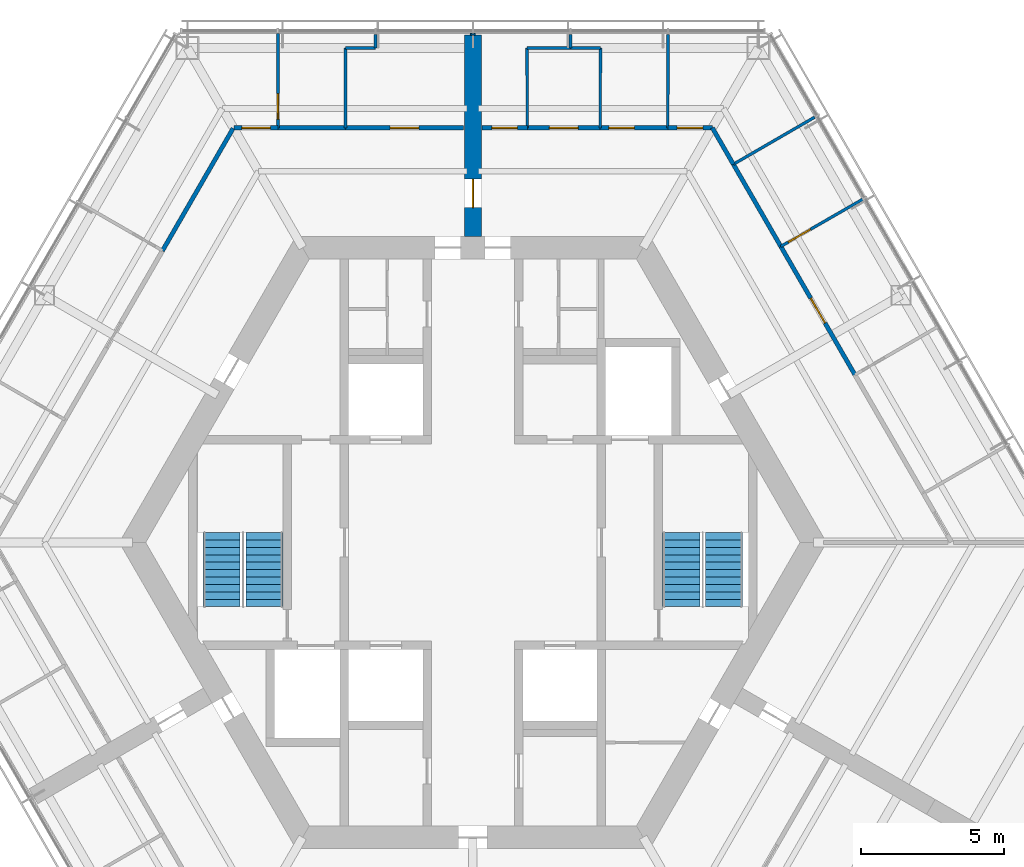
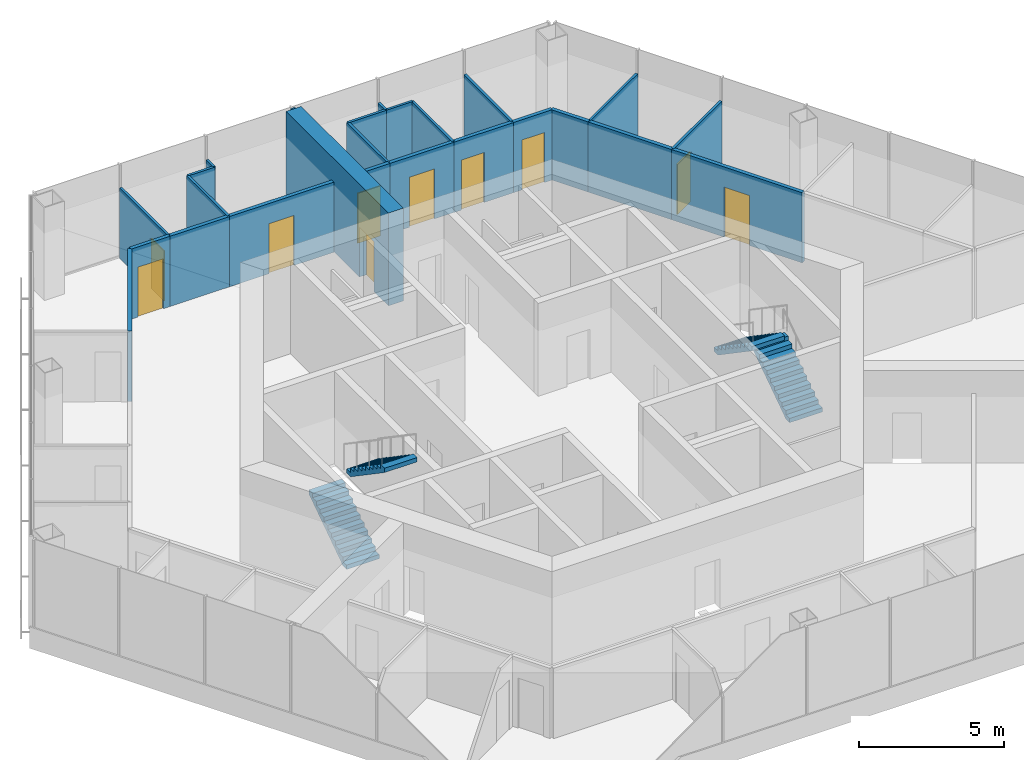
# One storey, part 10 of 13: 25 walls, 10 doors, 4 stair flights, 10 openings, 2 elements without a shape of their own.
"""IFC4 building model written with IfcOpenShell, lengths in metres."""

from ifc_helpers import new_model, si_unit, direction, frame, frame_2d, origin, place, context, subcontext, project, spatial, polyline, rectangle, outline, extrude, material, layer, layer_set, type_object, element, fill, aggregate, save


model = new_model("IFC4")

# Units and contexts
model_context = context("Model", 3, precision=1e-05, world=origin(), true_north=direction((0.0, 1.0)))
body_context = subcontext(model_context, "Body", "Model", "MODEL_VIEW")
ifc_project = project(units=[si_unit("LENGTHUNIT", "METRE"), si_unit("AREAUNIT", "SQUARE_METRE"), si_unit("VOLUMEUNIT", "CUBIC_METRE"), si_unit("PLANEANGLEUNIT", "RADIAN"), si_unit("MASSUNIT", "GRAM", prefix="KILO")], contexts=[model_context])

# Site, building, storey
site_placement = place(None, origin())
site = spatial("IfcSite", under=ifc_project, at=site_placement, CompositionType="ELEMENT")
building_placement = place(site_placement, origin())
building = spatial("IfcBuilding", under=site, at=building_placement, Name="Kasaneha Research Tower", CompositionType="ELEMENT")
storey_placement = place(building_placement, frame((0.0, 0.0, 294.699951171875)))
storey = spatial("IfcBuildingStorey", under=building, at=storey_placement, Name="L74", CompositionType="ELEMENT", Elevation=294.699951171875)

# Walls
ifc_material_1 = material(Name="Gypsum board on steel studs, one layer each side", Category="steel")
ifc_layer_1 = layer(ifc_material_1, 0.10009765625)
ifc_layer_set_1 = layer_set([ifc_layer_1], Name="Office partition 100")
wall_type_1 = type_object("IfcWallType", Name="Office partition 100", PredefinedType="PARTITIONING", material=ifc_layer_set_1)
wall_1_placement = place(storey_placement, frame((3.410400390625, 17.324951171875, 0.0), z_axis=(0.0, 0.0, 1.0), x_axis=(1.0, 0.0, 0.0)))
element("IfcWall", 1, at=wall_1_placement, inside=storey, type_object=wall_type_1, Name="Office partition FAE10 L74", PredefinedType="PARTITIONING", context=body_context, shape_type="SweptSolid", body=[
    extrude(rectangle(XDim=1.0546875, YDim=0.10009765625, at=frame_2d((0.52734375, 0.0))), origin(), (0.0, 0.0, 1.0), 2.949951171875),
])
wall_2_placement = place(storey_placement, frame((4.465087890625, 17.324951171875, 0.0), z_axis=(0.0, 0.0, 1.0), x_axis=(-0.001831019688, -0.999998323682, 0.0)))
element("IfcWall", 2, at=wall_2_placement, inside=storey, type_object=wall_type_1, Name="Office partition FAE11 L74", PredefinedType="PARTITIONING", context=body_context, shape_type="SweptSolid", body=[
    extrude(rectangle(XDim=2.800048828125, YDim=0.10009765625, at=frame_2d((1.39990234375, 0.0))), origin(), (0.0, 0.0, 1.0), 2.949951171875),
])
wall_3_placement = place(storey_placement, frame((1.89990234375, 17.324951171875, 0.0), z_axis=(0.0, 0.0, 1.0), x_axis=(1.0, 0.0, 0.0)))
element("IfcWall", 3, at=wall_3_placement, inside=storey, type_object=wall_type_1, Name="Office partition FAE12 L74", PredefinedType="PARTITIONING", context=body_context, shape_type="SweptSolid", body=[
    extrude(rectangle(XDim=1.5205078125, YDim=0.10009765625, at=frame_2d((0.76025390625, 0.0))), origin(), (0.0, 0.0, 1.0), 2.949951171875),
])
wall_4_placement = place(storey_placement, frame((1.905029296875, 14.52490234375, 0.0), z_axis=(0.0, 0.0, 1.0), x_axis=(-0.001831019688, 0.999998323682, 0.0)))
element("IfcWall", 4, at=wall_4_placement, inside=storey, type_object=wall_type_1, Name="Office partition FAE13 L74", PredefinedType="PARTITIONING", context=body_context, shape_type="SweptSolid", body=[
    extrude(rectangle(XDim=2.800048828125, YDim=0.10009765625, at=frame_2d((1.39990234375, 0.0))), origin(), (0.0, 0.0, 1.0), 2.949951171875),
])
wall_5_placement = place(storey_placement, frame((9.123779296875, 13.247314453125, 0.0), z_axis=(0.0, 0.0, 1.0), x_axis=(0.865292288087, 0.501267649243, 0.0)))
element("IfcWall", 5, at=wall_5_placement, inside=storey, type_object=wall_type_1, Name="Office partition FAE16 L74", PredefinedType="PARTITIONING", context=body_context, shape_type="SweptSolid", body=[
    extrude(rectangle(XDim=3.28564453125, YDim=0.10009765625, at=frame_2d((1.642822265625, 0.0))), origin(), (0.0, 0.0, 1.0), 2.949951171875),
])

# Wall, opening, door
wall_6_placement = place(storey_placement, frame((13.65380859375, 12.02197265625, 0.0), z_axis=(0.0, 0.0, 1.0), x_axis=(-0.866613759554, -0.498979550434, 0.0)))
wall_6 = element("IfcWall", 6, at=wall_6_placement, inside=storey, type_object=wall_type_1, Name="Office partition FAE17 L74", PredefinedType="PARTITIONING", context=body_context, shape_type="SweptSolid", body=[
    extrude(rectangle(XDim=3.310546875, YDim=0.10009765625, at=frame_2d((1.6552734375, 0.0))), origin(), (0.0, 0.0, 1.0), 2.949951171875),
])
opening_1_placement = place(wall_6_placement, frame((2.1103515625, 0.0, 0.0)))
opening_1 = element("IfcOpeningElement", 7, at=opening_1_placement, cuts=wall_6, Name="Opening L74-D33", PredefinedType="OPENING", context=body_context, shape_type="SweptSolid", body=[
    extrude(rectangle(XDim=0.89990234375, YDim=2.10009765625, at=frame_2d((0.449951171875, 1.050048828125))), frame((0.0, 0.06005859375, 0.0), z_axis=(0.0, -1.0, 0.0), x_axis=(1.0, 0.0, 0.0)), (0.0, 0.0, 1.0), 0.1201171875),
])
ifc_material_2 = material(Name="Timber veneer", Category="wood")
door_type_1 = type_object("IfcDoorType", Name="Office door 900x2100", OperationType="SINGLE_SWING_LEFT", PredefinedType="DOOR", material=ifc_material_2)
door_1_placement = place(opening_1_placement, origin())
door_1 = element("IfcDoor", 8, at=door_1_placement, inside=storey, type_object=door_type_1, Name="Tatami reception room door L74-D33", OperationType="SINGLE_SWING_RIGHT", OverallHeight=2.10009765625, OverallWidth=0.89990234375, PredefinedType="DOOR", context=body_context, shape_type="SweptSolid", body=[
    extrude(rectangle(XDim=0.89990234375, YDim=2.10009765625, at=frame_2d((0.449951171875, 1.050048828125))), frame((0.0, 0.02490234375, 0.0), z_axis=(0.0, -1.0, 0.0), x_axis=(1.0, 0.0, 0.0)), (0.0, 0.0, 1.0), 0.050048828125),
])
fill(opening_1, door_1)

# Walls
wall_7_placement = place(storey_placement, frame((3.42041015625, 17.324951171875, 0.0), z_axis=(0.0, 0.0, 1.0), x_axis=(-0.010266399375, 0.999947299133, 0.0)))
element("IfcWall", 9, at=wall_7_placement, inside=storey, type_object=wall_type_1, Name="Office partition FAE18 L74", PredefinedType="PARTITIONING", context=body_context, shape_type="SweptSolid", body=[
    extrude(rectangle(XDim=0.4755859375, YDim=0.10009765625, at=frame_2d((0.23779296875, 0.0))), origin(), (0.0, 0.0, 1.0), 2.949951171875),
])
wall_8_placement = place(storey_placement, frame((6.830810546875, 17.800537109375, 0.0), z_axis=(0.0, 0.0, 1.0), x_axis=(-0.001490644539, -0.999998888989, 0.0)))
element("IfcWall", 10, at=wall_8_placement, inside=storey, type_object=wall_type_1, Name="Office partition FAE19 L74", PredefinedType="PARTITIONING", context=body_context, shape_type="SweptSolid", body=[
    extrude(rectangle(XDim=3.275634765625, YDim=0.10009765625, at=frame_2d((1.6376953125, 0.0))), origin(), (0.0, 0.0, 1.0), 2.949951171875),
])
wall_9_placement = place(storey_placement, frame((-4.465087890625, 17.324951171875, 0.0), z_axis=(0.0, 0.0, 1.0), x_axis=(1.0, 0.0, 0.0)))
element("IfcWall", 11, at=wall_9_placement, inside=storey, type_object=wall_type_1, Name="Office partition FAW04 L74", PredefinedType="PARTITIONING", context=body_context, shape_type="SweptSolid", body=[
    extrude(rectangle(XDim=1.050048828125, YDim=0.10009765625, at=frame_2d((0.52490234375, 0.0))), origin(), (0.0, 0.0, 1.0), 2.949951171875),
])
wall_10_placement = place(storey_placement, frame((-4.4599609375, 14.52490234375, 0.0), z_axis=(0.0, 0.0, 1.0), x_axis=(-0.001831019688, 0.999998323682, 0.0)))
element("IfcWall", 12, at=wall_10_placement, inside=storey, type_object=wall_type_1, Name="Office partition FAW05 L74", PredefinedType="PARTITIONING", context=body_context, shape_type="SweptSolid", body=[
    extrude(rectangle(XDim=2.800048828125, YDim=0.10009765625, at=frame_2d((1.39990234375, 0.0))), origin(), (0.0, 0.0, 1.0), 2.949951171875),
])
wall_11_placement = place(storey_placement, frame((-3.4150390625, 17.324951171875, 0.0), z_axis=(0.0, 0.0, 1.0), x_axis=(0.0, 1.0, 0.0)))
element("IfcWall", 13, at=wall_11_placement, inside=storey, type_object=wall_type_1, Name="Office partition FAW06 L74", PredefinedType="PARTITIONING", context=body_context, shape_type="SweptSolid", body=[
    extrude(rectangle(XDim=0.4755859375, YDim=0.10009765625, at=frame_2d((0.23779296875, 0.0))), origin(), (0.0, 0.0, 1.0), 2.949951171875),
])

# Wall, opening, door
wall_12_placement = place(storey_placement, frame((-6.826416015625, 14.52490234375, 0.0), z_axis=(0.0, 0.0, 1.0), x_axis=(-0.001401178566, 0.999999018349, 0.0)))
wall_12 = element("IfcWall", 14, at=wall_12_placement, inside=storey, type_object=wall_type_1, Name="Office partition FAW07 L74", PredefinedType="PARTITIONING", context=body_context, shape_type="SweptSolid", body=[
    extrude(rectangle(XDim=3.310546875, YDim=0.10009765625, at=frame_2d((1.6552734375, 0.0))), origin(), (0.0, 0.0, 1.0), 2.949951171875),
])
opening_2_placement = place(wall_12_placement, frame((0.300048828125, 0.0, 0.0)))
opening_2 = element("IfcOpeningElement", 15, at=opening_2_placement, cuts=wall_12, Name="Opening L74-D36", PredefinedType="OPENING", context=body_context, shape_type="SweptSolid", body=[
    extrude(rectangle(XDim=0.89990234375, YDim=2.10009765625, at=frame_2d((0.449951171875, 1.050048828125))), frame((0.0, 0.06005859375, 0.0), z_axis=(0.0, -1.0, 0.0), x_axis=(1.0, 0.0, 0.0)), (0.0, 0.0, 1.0), 0.1201171875),
])
door_2_placement = place(opening_2_placement, origin())
door_2 = element("IfcDoor", 16, at=door_2_placement, inside=storey, type_object=door_type_1, Name="Executive office door L74-D36", OperationType="SINGLE_SWING_LEFT", OverallHeight=2.10009765625, OverallWidth=0.89990234375, PredefinedType="DOOR", context=body_context, shape_type="SweptSolid", body=[
    extrude(rectangle(XDim=0.89990234375, YDim=2.10009765625, at=frame_2d((0.449951171875, 1.050048828125))), frame((0.0, 0.02490234375, 0.0), z_axis=(0.0, -1.0, 0.0), x_axis=(1.0, 0.0, 0.0)), (0.0, 0.0, 1.0), 0.050048828125),
])
fill(opening_2, door_2)

ifc_material_3 = material(Name="Concrete Fc60", Category="concrete")
ifc_layer_2 = layer(ifc_material_3, 0.60009765625)
ifc_layer_set_2 = layer_set([ifc_layer_2], Name="Spine wall 600 Fc60")
wall_type_2 = type_object("IfcWallType", Name="Spine wall 600 Fc60", PredefinedType="SHEAR", material=ifc_layer_set_2)
wall_13_placement = place(storey_placement, frame((0.0, 10.72509765625, 0.0), z_axis=(0.0, 0.0, 1.0), x_axis=(0.0, 1.0, 0.0)))
wall_13 = element("IfcWall", 17, at=wall_13_placement, inside=storey, type_object=wall_type_2, Name="Spine wall A L74", PredefinedType="SHEAR", context=body_context, shape_type="SweptSolid", body=[
    extrude(rectangle(XDim=7.04541015625, YDim=0.60009765625, at=frame_2d((3.522705078125, 0.0))), origin(), (0.0, 0.0, 1.0), 3.900146484375),
])
opening_3_placement = place(wall_13_placement, frame((1.0, 0.0, 0.0)))
opening_3 = element("IfcOpeningElement", 18, at=opening_3_placement, cuts=wall_13, Name="Opening L74-D18", PredefinedType="OPENING", context=body_context, shape_type="SweptSolid", body=[
    extrude(rectangle(XDim=1.0, YDim=2.10009765625, at=frame_2d((0.5, 1.050048828125))), frame((0.0, 0.31005859375, 0.0), z_axis=(0.0, -1.0, 0.0), x_axis=(1.0, 0.0, 0.0)), (0.0, 0.0, 1.0), 0.6201171875),
])
ifc_material_4 = material(Name="Steel", Category="steel")
door_type_2 = type_object("IfcDoorType", Name="Specified fire door FD60 1000x2100", OperationType="NOTDEFINED", PredefinedType="DOOR", material=ifc_material_4)
door_3_placement = place(opening_3_placement, origin())
door_3 = element("IfcDoor", 19, at=door_3_placement, inside=storey, type_object=door_type_2, Name="Spine doorway A L74-D18", OperationType="SINGLE_SWING_LEFT", OverallHeight=2.10009765625, OverallWidth=1.0, PredefinedType="DOOR", context=body_context, shape_type="SweptSolid", body=[
    extrude(rectangle(XDim=1.0, YDim=2.10009765625, at=frame_2d((0.5, 1.050048828125))), frame((0.0, 0.02490234375, 0.0), z_axis=(0.0, -1.0, 0.0), x_axis=(1.0, 0.0, 0.0)), (0.0, 0.0, 1.0), 0.050048828125),
])
fill(opening_3, door_3)

ifc_material_5 = material(Name="Gypsum board on steel studs, two layers each side", Category="steel")
ifc_layer_3 = layer(ifc_material_5, 0.14990234375)
ifc_layer_set_3 = layer_set([ifc_layer_3], Name="Suite partition 150")
wall_type_3 = type_object("IfcWallType", Name="Suite partition 150", PredefinedType="PARTITIONING", material=ifc_layer_set_3)
wall_14_placement = place(storey_placement, frame((1.89501953125, 14.52490234375, 0.0), z_axis=(0.0, 0.0, 1.0), x_axis=(1.0, 0.0, 0.0)))
wall_14 = element("IfcWall", 20, at=wall_14_placement, inside=storey, type_object=wall_type_3, Name="Suite partition FAE01 L74", PredefinedType="PARTITIONING", context=body_context, shape_type="SweptSolid", body=[
    extrude(rectangle(XDim=2.574951171875, YDim=0.14990234375, at=frame_2d((1.28759765625, 0.0))), origin(), (0.0, 0.0, 1.0), 2.949951171875),
])
opening_4_placement = place(wall_14_placement, frame((0.78759765625, 0.0, 0.0)))
opening_4 = element("IfcOpeningElement", 21, at=opening_4_placement, cuts=wall_14, Name="Opening L74-D26", PredefinedType="OPENING", context=body_context, shape_type="SweptSolid", body=[
    extrude(rectangle(XDim=1.0, YDim=2.10009765625, at=frame_2d((0.5, 1.050048828125))), frame((0.0, 0.0849609375, 0.0), z_axis=(0.0, -1.0, 0.0), x_axis=(1.0, 0.0, 0.0)), (0.0, 0.0, 1.0), 0.169921875),
])
ifc_material_6 = material(Name="Steel", Category="steel")
door_type_3 = type_object("IfcDoorType", Name="Suite entrance door FD60 1000x2100", OperationType="NOTDEFINED", PredefinedType="DOOR", material=ifc_material_6)
door_4_placement = place(opening_4_placement, origin())
door_4 = element("IfcDoor", 22, at=door_4_placement, inside=storey, type_object=door_type_3, Name="Suite entrance door L74-D26", OperationType="SINGLE_SWING_RIGHT", OverallHeight=2.10009765625, OverallWidth=1.0, PredefinedType="DOOR", context=body_context, shape_type="SweptSolid", body=[
    extrude(rectangle(XDim=1.0, YDim=2.10009765625, at=frame_2d((0.5, 1.050048828125))), frame((0.0, 0.02490234375, 0.0), z_axis=(0.0, -1.0, 0.0), x_axis=(1.0, 0.0, 0.0)), (0.0, 0.0, 1.0), 0.050048828125),
])
fill(opening_4, door_4)

# Wall
wall_15_placement = place(storey_placement, frame((9.118896484375, 13.255859375, 0.0), z_axis=(0.0, 0.0, 1.0), x_axis=(0.499990242038, -0.866031037473, 0.0)))
element("IfcWall", 23, at=wall_15_placement, inside=storey, type_object=wall_type_3, Name="Suite partition FAE03 L74", PredefinedType="PARTITIONING", context=body_context, shape_type="SweptSolid", body=[
    extrude(rectangle(XDim=3.3408203125, YDim=0.14990234375, at=frame_2d((1.67041015625, 0.0))), origin(), (0.0, 0.0, 1.0), 2.949951171875),
])

# Wall, opening, door
wall_16_placement = place(storey_placement, frame((4.4599609375, 14.52490234375, 0.0), z_axis=(0.0, 0.0, 1.0), x_axis=(1.0, 0.0, 0.0)))
wall_16 = element("IfcWall", 24, at=wall_16_placement, inside=storey, type_object=wall_type_3, Name="Suite partition FAE04 L74", PredefinedType="PARTITIONING", context=body_context, shape_type="SweptSolid", body=[
    extrude(rectangle(XDim=2.3759765625, YDim=0.14990234375, at=frame_2d((1.18798828125, 0.0))), origin(), (0.0, 0.0, 1.0), 2.949951171875),
])
opening_5_placement = place(wall_16_placement, frame((0.300048828125, 0.0, 0.0)))
opening_5 = element("IfcOpeningElement", 25, at=opening_5_placement, cuts=wall_16, Name="Opening L74-D27", PredefinedType="OPENING", context=body_context, shape_type="SweptSolid", body=[
    extrude(rectangle(XDim=0.89990234375, YDim=2.10009765625, at=frame_2d((0.449951171875, 1.050048828125))), frame((0.0, 0.0849609375, 0.0), z_axis=(0.0, -1.0, 0.0), x_axis=(1.0, 0.0, 0.0)), (0.0, 0.0, 1.0), 0.169921875),
])
door_5_placement = place(opening_5_placement, origin())
door_5 = element("IfcDoor", 26, at=door_5_placement, inside=storey, type_object=door_type_1, Name="Executive office door L74-D27", OperationType="SINGLE_SWING_LEFT", OverallHeight=2.10009765625, OverallWidth=0.89990234375, PredefinedType="DOOR", context=body_context, shape_type="SweptSolid", body=[
    extrude(rectangle(XDim=0.89990234375, YDim=2.10009765625, at=frame_2d((0.449951171875, 1.050048828125))), frame((0.0, 0.02490234375, 0.0), z_axis=(0.0, -1.0, 0.0), x_axis=(1.0, 0.0, 0.0)), (0.0, 0.0, 1.0), 0.050048828125),
])
fill(opening_5, door_5)

wall_17_placement = place(storey_placement, frame((0.320068359375, 14.52490234375, 0.0), z_axis=(0.0, 0.0, 1.0), x_axis=(1.0, 0.0, 0.0)))
wall_17 = element("IfcWall", 27, at=wall_17_placement, inside=storey, type_object=wall_type_3, Name="Suite partition FAE05 L74", PredefinedType="PARTITIONING", context=body_context, shape_type="SweptSolid", body=[
    extrude(rectangle(XDim=1.5849609375, YDim=0.14990234375, at=frame_2d((0.79248046875, 0.0))), origin(), (0.0, 0.0, 1.0), 2.949951171875),
])
opening_6_placement = place(wall_17_placement, frame((0.342529296875, 0.0, 0.0)))
opening_6 = element("IfcOpeningElement", 28, at=opening_6_placement, cuts=wall_17, Name="Opening L74-D28", PredefinedType="OPENING", context=body_context, shape_type="SweptSolid", body=[
    extrude(rectangle(XDim=0.89990234375, YDim=2.10009765625, at=frame_2d((0.449951171875, 1.050048828125))), frame((0.0, 0.0849609375, 0.0), z_axis=(0.0, -1.0, 0.0), x_axis=(1.0, 0.0, 0.0)), (0.0, 0.0, 1.0), 0.169921875),
])
door_6_placement = place(opening_6_placement, origin())
door_6 = element("IfcDoor", 29, at=door_6_placement, inside=storey, type_object=door_type_1, Name="Executive office door L74-D28", OperationType="SINGLE_SWING_RIGHT", OverallHeight=2.10009765625, OverallWidth=0.89990234375, PredefinedType="DOOR", context=body_context, shape_type="SweptSolid", body=[
    extrude(rectangle(XDim=0.89990234375, YDim=2.10009765625, at=frame_2d((0.449951171875, 1.050048828125))), frame((0.0, 0.02490234375, 0.0), z_axis=(0.0, -1.0, 0.0), x_axis=(1.0, 0.0, 0.0)), (0.0, 0.0, 1.0), 0.050048828125),
])
fill(opening_6, door_6)

wall_18_placement = place(storey_placement, frame((6.825927734375, 14.52490234375, 0.0), z_axis=(0.0, 0.0, 1.0), x_axis=(1.0, 0.0, 0.0)))
wall_18 = element("IfcWall", 30, at=wall_18_placement, inside=storey, type_object=wall_type_3, Name="Suite partition FAE07 L74", PredefinedType="PARTITIONING", context=body_context, shape_type="SweptSolid", body=[
    extrude(rectangle(XDim=1.56005859375, YDim=0.14990234375, at=frame_2d((0.780029296875, 0.0))), origin(), (0.0, 0.0, 1.0), 2.949951171875),
])
opening_7_placement = place(wall_18_placement, frame((0.330078125, 0.0, 0.0)))
opening_7 = element("IfcOpeningElement", 31, at=opening_7_placement, cuts=wall_18, Name="Opening L74-D30", PredefinedType="OPENING", context=body_context, shape_type="SweptSolid", body=[
    extrude(rectangle(XDim=0.89990234375, YDim=2.10009765625, at=frame_2d((0.449951171875, 1.050048828125))), frame((0.0, 0.0849609375, 0.0), z_axis=(0.0, -1.0, 0.0), x_axis=(1.0, 0.0, 0.0)), (0.0, 0.0, 1.0), 0.169921875),
])
door_7_placement = place(opening_7_placement, origin())
door_7 = element("IfcDoor", 32, at=door_7_placement, inside=storey, type_object=door_type_1, Name="Project room door L74-D30", OperationType="SINGLE_SWING_LEFT", OverallHeight=2.10009765625, OverallWidth=0.89990234375, PredefinedType="DOOR", context=body_context, shape_type="SweptSolid", body=[
    extrude(rectangle(XDim=0.89990234375, YDim=2.10009765625, at=frame_2d((0.449951171875, 1.050048828125))), frame((0.0, 0.02490234375, 0.0), z_axis=(0.0, -1.0, 0.0), x_axis=(1.0, 0.0, 0.0)), (0.0, 0.0, 1.0), 0.050048828125),
])
fill(opening_7, door_7)

# Wall
wall_19_placement = place(storey_placement, frame((8.385986328125, 14.52490234375, 0.0), z_axis=(0.0, 0.0, 1.0), x_axis=(0.500090108003, -0.865973373654, 0.0)))
element("IfcWall", 33, at=wall_19_placement, inside=storey, type_object=wall_type_3, Name="Suite partition FAE08 L74", PredefinedType="PARTITIONING", context=body_context, shape_type="SweptSolid", body=[
    extrude(rectangle(XDim=1.475341796875, YDim=0.14990234375, at=frame_2d((0.73779296875, 0.0))), origin(), (0.0, 0.0, 1.0), 2.949951171875),
])

# Wall, opening, door
wall_20_placement = place(storey_placement, frame((10.784912109375, 10.3701171875, 0.0), z_axis=(0.0, 0.0, 1.0), x_axis=(0.499992432099, -0.86602977307, 0.0)))
wall_20 = element("IfcWall", 34, at=wall_20_placement, inside=storey, type_object=wall_type_3, Name="Suite partition FAE09 L74", PredefinedType="PARTITIONING", context=body_context, shape_type="SweptSolid", body=[
    extrude(rectangle(XDim=5.1923828125, YDim=0.14990234375, at=frame_2d((2.59619140625, 0.0))), origin(), (0.0, 0.0, 1.0), 2.949951171875),
])
opening_8_placement = place(wall_20_placement, frame((2.09619140625, 0.0, 0.0)))
opening_8 = element("IfcOpeningElement", 35, at=opening_8_placement, cuts=wall_20, Name="Opening L74-D31", PredefinedType="OPENING", context=body_context, shape_type="SweptSolid", body=[
    extrude(rectangle(XDim=1.0, YDim=2.10009765625, at=frame_2d((0.5, 1.050048828125))), frame((0.0, 0.0849609375, 0.0), z_axis=(0.0, -1.0, 0.0), x_axis=(1.0, 0.0, 0.0)), (0.0, 0.0, 1.0), 0.169921875),
])
door_8_placement = place(opening_8_placement, origin())
door_8 = element("IfcDoor", 36, at=door_8_placement, inside=storey, type_object=door_type_3, Name="Suite entrance door L74-D31", OperationType="SINGLE_SWING_RIGHT", OverallHeight=2.10009765625, OverallWidth=1.0, PredefinedType="DOOR", context=body_context, shape_type="SweptSolid", body=[
    extrude(rectangle(XDim=1.0, YDim=2.10009765625, at=frame_2d((0.5, 1.050048828125))), frame((0.0, 0.02490234375, 0.0), z_axis=(0.0, -1.0, 0.0), x_axis=(1.0, 0.0, 0.0)), (0.0, 0.0, 1.0), 0.050048828125),
])
fill(opening_8, door_8)

wall_21_placement = place(storey_placement, frame((-4.469970703125, 14.52490234375, 0.0), z_axis=(0.0, 0.0, 1.0), x_axis=(1.0, 0.0, 0.0)))
wall_21 = element("IfcWall", 37, at=wall_21_placement, inside=storey, type_object=wall_type_3, Name="Suite partition FAW01 L74", PredefinedType="PARTITIONING", context=body_context, shape_type="SweptSolid", body=[
    extrude(rectangle(XDim=4.14990234375, YDim=0.14990234375, at=frame_2d((2.074951171875, 0.0))), origin(), (0.0, 0.0, 1.0), 2.949951171875),
])
opening_9_placement = place(wall_21_placement, frame((1.574951171875, 0.0, 0.0)))
opening_9 = element("IfcOpeningElement", 38, at=opening_9_placement, cuts=wall_21, Name="Opening L74-D34", PredefinedType="OPENING", context=body_context, shape_type="SweptSolid", body=[
    extrude(rectangle(XDim=1.0, YDim=2.10009765625, at=frame_2d((0.5, 1.050048828125))), frame((0.0, 0.0849609375, 0.0), z_axis=(0.0, -1.0, 0.0), x_axis=(1.0, 0.0, 0.0)), (0.0, 0.0, 1.0), 0.169921875),
])
door_9_placement = place(opening_9_placement, origin())
door_9 = element("IfcDoor", 39, at=door_9_placement, inside=storey, type_object=door_type_3, Name="Suite entrance door L74-D34", OperationType="SINGLE_SWING_LEFT", OverallHeight=2.10009765625, OverallWidth=1.0, PredefinedType="DOOR", context=body_context, shape_type="SweptSolid", body=[
    extrude(rectangle(XDim=1.0, YDim=2.10009765625, at=frame_2d((0.5, 1.050048828125))), frame((0.0, 0.02490234375, 0.0), z_axis=(0.0, -1.0, 0.0), x_axis=(1.0, 0.0, 0.0)), (0.0, 0.0, 1.0), 0.050048828125),
])
fill(opening_9, door_9)

# Wall
wall_22_placement = place(storey_placement, frame((-6.8359375, 14.52490234375, 0.0), z_axis=(0.0, 0.0, 1.0), x_axis=(1.0, 0.0, 0.0)))
element("IfcWall", 40, at=wall_22_placement, inside=storey, type_object=wall_type_3, Name="Suite partition FAW02 L74", PredefinedType="PARTITIONING", context=body_context, shape_type="SweptSolid", body=[
    extrude(rectangle(XDim=2.3759765625, YDim=0.14990234375, at=frame_2d((1.18798828125, 0.0))), origin(), (0.0, 0.0, 1.0), 2.949951171875),
])

# Wall, opening, door
wall_23_placement = place(storey_placement, frame((-8.36279296875, 14.52490234375, 0.0), z_axis=(0.0, 0.0, 1.0), x_axis=(1.0, 0.0, 0.0)))
wall_23 = element("IfcWall", 41, at=wall_23_placement, inside=storey, type_object=wall_type_3, Name="Suite partition FAW03 L74", PredefinedType="PARTITIONING", context=body_context, shape_type="SweptSolid", body=[
    extrude(rectangle(XDim=1.536376953125, YDim=0.14990234375, at=frame_2d((0.76806640625, 0.0))), origin(), (0.0, 0.0, 1.0), 2.949951171875),
])
opening_10_placement = place(wall_23_placement, frame((0.268310546875, 0.0, 0.0)))
opening_10 = element("IfcOpeningElement", 42, at=opening_10_placement, cuts=wall_23, Name="Opening L74-D35", PredefinedType="OPENING", context=body_context, shape_type="SweptSolid", body=[
    extrude(rectangle(XDim=1.0, YDim=2.10009765625, at=frame_2d((0.5, 1.050048828125))), frame((0.0, 0.0849609375, 0.0), z_axis=(0.0, -1.0, 0.0), x_axis=(1.0, 0.0, 0.0)), (0.0, 0.0, 1.0), 0.169921875),
])
door_10_placement = place(opening_10_placement, origin())
door_10 = element("IfcDoor", 43, at=door_10_placement, inside=storey, type_object=door_type_3, Name="Suite entrance door L74-D35", OperationType="SINGLE_SWING_RIGHT", OverallHeight=2.10009765625, OverallWidth=1.0, PredefinedType="DOOR", context=body_context, shape_type="SweptSolid", body=[
    extrude(rectangle(XDim=1.0, YDim=2.10009765625, at=frame_2d((0.5, 1.050048828125))), frame((0.0, 0.02490234375, 0.0), z_axis=(0.0, -1.0, 0.0), x_axis=(1.0, 0.0, 0.0)), (0.0, 0.0, 1.0), 0.050048828125),
])
fill(opening_10, door_10)

# Walls
wall_24_placement = place(storey_placement, frame((-10.873779296875, 10.216064453125, 0.0), z_axis=(0.0, 0.0, 1.0), x_axis=(0.499988457423, 0.866032067792, 0.0)))
element("IfcWall", 44, at=wall_24_placement, inside=storey, type_object=wall_type_3, Name="Suite partition FBN01 L74", PredefinedType="PARTITIONING", context=body_context, shape_type="SweptSolid", body=[
    extrude(rectangle(XDim=4.9521484375, YDim=0.14990234375, at=frame_2d((2.47607421875, 0.0))), origin(), (0.0, 0.0, 1.0), 2.949951171875),
])
ifc_material_7 = material(Name="Gypsum board on steel studs, two layers each side", Category="steel")
ifc_layer_4 = layer(ifc_material_7, 0.175048828125)
ifc_layer_set_4 = layer_set([ifc_layer_4], Name="Tenancy fire partition 175")
wall_type_4 = type_object("IfcWallType", Name="Tenancy fire partition 175", PredefinedType="PARTITIONING", material=ifc_layer_set_4)
wall_25_placement = place(storey_placement, frame((0.0, 17.7705078125, 0.0), z_axis=(0.0, 0.0, 1.0), x_axis=(0.0, 1.0, 0.0)))
element("IfcWall", 45, at=wall_25_placement, inside=storey, type_object=wall_type_4, Name="Spine wall closer SW4-600 L74", PredefinedType="PARTITIONING", context=body_context, shape_type="SweptSolid", body=[
    extrude(rectangle(XDim=0.06494140625, YDim=0.175048828125, at=frame_2d((0.032470703125, 0.0))), origin(), (0.0, 0.0, 1.0), 3.900146484375),
])

# Stair, stair flights
ifc_material_8 = material(Name="Concrete Fc24", Category="concrete")
stair_type = type_object("IfcStairType", Name="Half-turn stair 22 risers", PredefinedType="HALF_TURN_STAIR", material=ifc_material_8)
stair_1_placement = place(storey_placement, origin())
stair_1 = element("IfcStair", 46, at=stair_1_placement, inside=storey, type_object=stair_type, Name="Stair 1 L74", PredefinedType="HALF_TURN_STAIR")
ifc_material_9 = material(Name="Concrete Fc24", Category="concrete")
stair_flight_type = type_object("IfcStairFlightType", Name="Stair flight 11 risers 177.3", PredefinedType="STRAIGHT", material=ifc_material_9)
stair_flight_1_placement = place(storey_placement, frame((8.800048828125, -2.25, 0.0), z_axis=(0.0, 0.0, 1.0), x_axis=(0.0, 1.0, 0.0)))
stair_flight_1 = element("IfcStairFlight", 47, at=stair_flight_1_placement, type_object=stair_flight_type, Name="ST1-22R flight 1", NumberOfRisers=11, NumberOfTreads=10, PredefinedType="STRAIGHT", RiserHeight=0.177272727, TreadLength=0.26, context=body_context, shape_type="SweptSolid", body=[
    extrude(outline(polyline([(0.0, 0.0), (0.0, 0.17724609375), (0.260009765625, 0.17724609375), (0.260009765625, 0.3544921875), (0.52001953125, 0.3544921875), (0.52001953125, 0.53173828125), (0.780029296875, 0.53173828125), (0.780029296875, 0.708984375), (1.0400390625, 0.708984375), (1.0400390625, 0.886474609375), (1.300048828125, 0.886474609375), (1.300048828125, 1.063720703125), (1.56005859375, 1.063720703125), (1.56005859375, 1.240966796875), (1.820068359375, 1.240966796875), (1.820068359375, 1.418212890625), (2.080078125, 1.418212890625), (2.080078125, 1.595458984375), (2.340087890625, 1.595458984375), (2.340087890625, 1.772705078125), (2.60009765625, 1.772705078125), (2.60009765625, 1.949951171875), (2.60009765625, 1.59130859375), (0.26611328125, 0.0), (0.0, 0.0)])), frame((0.0, 0.64990234375, 0.0), z_axis=(0.0, -1.0, 0.0), x_axis=(1.0, 0.0, 0.0)), (0.0, 0.0, 1.0), 1.300048828125),
])
stair_flight_2_placement = place(storey_placement, frame((7.300048828125, 0.35009765625, 1.949951171875), z_axis=(0.0, 0.0, 1.0), x_axis=(0.0, -1.0, 0.0)))
stair_flight_2 = element("IfcStairFlight", 48, at=stair_flight_2_placement, type_object=stair_flight_type, Name="ST1-22R flight 2", NumberOfRisers=11, NumberOfTreads=10, PredefinedType="STRAIGHT", RiserHeight=0.177272727, TreadLength=0.26, context=body_context, shape_type="SweptSolid", body=[
    extrude(outline(polyline([(0.0, 0.0), (0.0, 0.17724609375), (0.260009765625, 0.17724609375), (0.260009765625, 0.3544921875), (0.52001953125, 0.3544921875), (0.52001953125, 0.53173828125), (0.780029296875, 0.53173828125), (0.780029296875, 0.708984375), (1.0400390625, 0.708984375), (1.0400390625, 0.886474609375), (1.300048828125, 0.886474609375), (1.300048828125, 1.063720703125), (1.56005859375, 1.063720703125), (1.56005859375, 1.240966796875), (1.820068359375, 1.240966796875), (1.820068359375, 1.418212890625), (2.080078125, 1.418212890625), (2.080078125, 1.595458984375), (2.340087890625, 1.595458984375), (2.340087890625, 1.772705078125), (2.60009765625, 1.772705078125), (2.60009765625, 1.949951171875), (2.60009765625, 1.59130859375), (0.26611328125, 0.0), (0.0, 0.0)])), frame((0.0, 0.64990234375, 0.0), z_axis=(0.0, -1.0, 0.0), x_axis=(1.0, 0.0, 0.0)), (0.0, 0.0, 1.0), 1.300048828125),
])
aggregate(stair_1, [stair_flight_1, stair_flight_2])

stair_2_placement = place(storey_placement, origin())
stair_2 = element("IfcStair", 49, at=stair_2_placement, inside=storey, type_object=stair_type, Name="Stair 2 L74", PredefinedType="HALF_TURN_STAIR")
stair_flight_3_placement = place(storey_placement, frame((-8.800048828125, -2.25, 0.0), z_axis=(0.0, 0.0, 1.0), x_axis=(0.0, 1.0, 0.0)))
stair_flight_3 = element("IfcStairFlight", 50, at=stair_flight_3_placement, type_object=stair_flight_type, Name="ST2-22R flight 1", NumberOfRisers=11, NumberOfTreads=10, PredefinedType="STRAIGHT", RiserHeight=0.177272727, TreadLength=0.26, context=body_context, shape_type="SweptSolid", body=[
    extrude(outline(polyline([(0.0, 0.0), (0.0, 0.17724609375), (0.260009765625, 0.17724609375), (0.260009765625, 0.3544921875), (0.52001953125, 0.3544921875), (0.52001953125, 0.53173828125), (0.780029296875, 0.53173828125), (0.780029296875, 0.708984375), (1.0400390625, 0.708984375), (1.0400390625, 0.886474609375), (1.300048828125, 0.886474609375), (1.300048828125, 1.063720703125), (1.56005859375, 1.063720703125), (1.56005859375, 1.240966796875), (1.820068359375, 1.240966796875), (1.820068359375, 1.418212890625), (2.080078125, 1.418212890625), (2.080078125, 1.595458984375), (2.340087890625, 1.595458984375), (2.340087890625, 1.772705078125), (2.60009765625, 1.772705078125), (2.60009765625, 1.949951171875), (2.60009765625, 1.59130859375), (0.26611328125, 0.0), (0.0, 0.0)])), frame((0.0, 0.64990234375, 0.0), z_axis=(0.0, -1.0, 0.0), x_axis=(1.0, 0.0, 0.0)), (0.0, 0.0, 1.0), 1.300048828125),
])
stair_flight_4_placement = place(storey_placement, frame((-7.300048828125, 0.35009765625, 1.949951171875), z_axis=(0.0, 0.0, 1.0), x_axis=(0.0, -1.0, 0.0)))
stair_flight_4 = element("IfcStairFlight", 51, at=stair_flight_4_placement, type_object=stair_flight_type, Name="ST2-22R flight 2", NumberOfRisers=11, NumberOfTreads=10, PredefinedType="STRAIGHT", RiserHeight=0.177272727, TreadLength=0.26, context=body_context, shape_type="SweptSolid", body=[
    extrude(outline(polyline([(0.0, 0.0), (0.0, 0.17724609375), (0.260009765625, 0.17724609375), (0.260009765625, 0.3544921875), (0.52001953125, 0.3544921875), (0.52001953125, 0.53173828125), (0.780029296875, 0.53173828125), (0.780029296875, 0.708984375), (1.0400390625, 0.708984375), (1.0400390625, 0.886474609375), (1.300048828125, 0.886474609375), (1.300048828125, 1.063720703125), (1.56005859375, 1.063720703125), (1.56005859375, 1.240966796875), (1.820068359375, 1.240966796875), (1.820068359375, 1.418212890625), (2.080078125, 1.418212890625), (2.080078125, 1.595458984375), (2.340087890625, 1.595458984375), (2.340087890625, 1.772705078125), (2.60009765625, 1.772705078125), (2.60009765625, 1.949951171875), (2.60009765625, 1.59130859375), (0.26611328125, 0.0), (0.0, 0.0)])), frame((0.0, 0.64990234375, 0.0), z_axis=(0.0, -1.0, 0.0), x_axis=(1.0, 0.0, 0.0)), (0.0, 0.0, 1.0), 1.300048828125),
])
aggregate(stair_2, [stair_flight_3, stair_flight_4])

save(model, "model.ifc")
